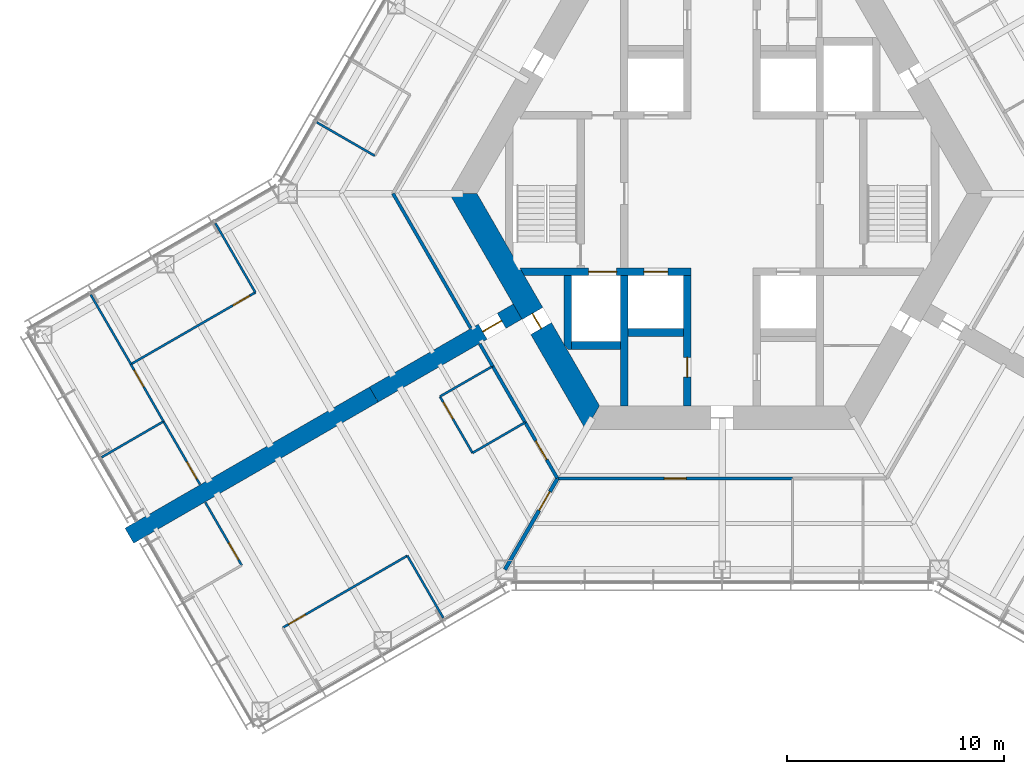
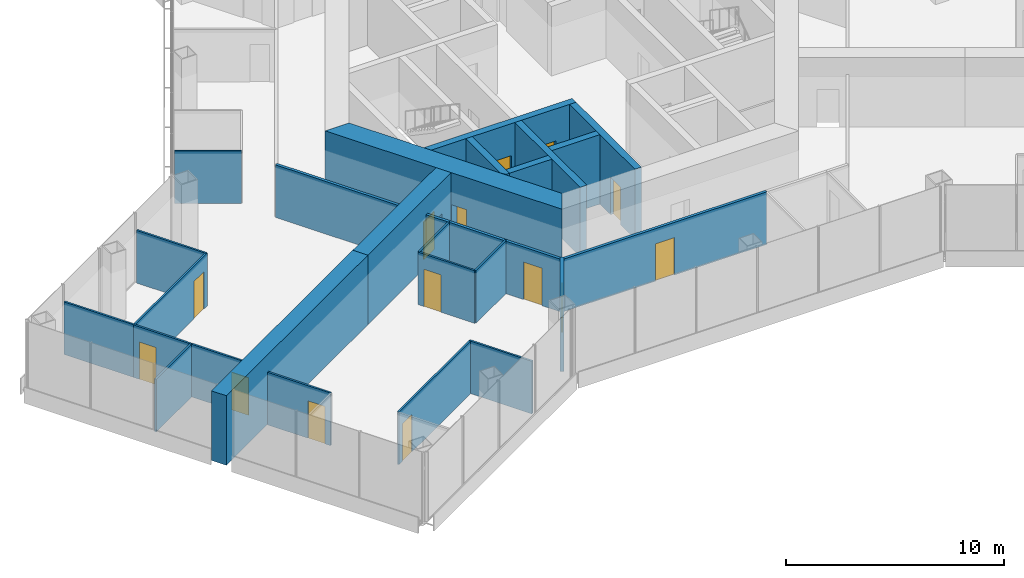
# One storey, part 12 of 18: 28 walls, 14 doors, 14 openings.
"""IFC4 building model written with IfcOpenShell, lengths in metres."""

from ifc_helpers import new_model, si_unit, direction, frame, frame_2d, origin, place, context, subcontext, project, spatial, polyline, rectangle, outline, extrude, material, layer, layer_set, type_object, element, fill, save


model = new_model("IFC4")

# Units and contexts
model_context = context("Model", 3, precision=1e-05, world=origin(), true_north=direction((0.0, 1.0)))
body_context = subcontext(model_context, "Body", "Model", "MODEL_VIEW")
ifc_project = project(units=[si_unit("LENGTHUNIT", "METRE"), si_unit("AREAUNIT", "SQUARE_METRE"), si_unit("VOLUMEUNIT", "CUBIC_METRE"), si_unit("PLANEANGLEUNIT", "RADIAN"), si_unit("MASSUNIT", "GRAM", prefix="KILO")], contexts=[model_context])

# Site, building, storey
site_placement = place(None, origin())
site = spatial("IfcSite", under=ifc_project, at=site_placement, CompositionType="ELEMENT")
building_placement = place(site_placement, origin())
building = spatial("IfcBuilding", under=site, at=building_placement, Name="Kasaneha Research Tower", CompositionType="ELEMENT")
storey_placement = place(building_placement, frame((0.0, 0.0, 111.89990234375)))
storey = spatial("IfcBuildingStorey", under=building, at=storey_placement, Name="L28", CompositionType="ELEMENT", Elevation=111.89990234375)

# Wall, openings, doors
ifc_material_1 = material(Name="Concrete Fc80", Category="concrete")
ifc_layer_1 = layer(ifc_material_1, 0.35009765625)
ifc_layer_set_1 = layer_set([ifc_layer_1], Name="Core internal wall 350 Fc80")
wall_type_1 = type_object("IfcWallType", Name="Core internal wall 350 Fc80", PredefinedType="SHEAR", material=ifc_layer_set_1)
wall_1_placement = place(storey_placement, frame((-9.208740234375, -3.60009765625, 0.0), z_axis=(0.0, 0.0, 1.0), x_axis=(1.0, 0.0, 0.0)))
wall_1 = element("IfcWall", 1, at=wall_1_placement, inside=storey, type_object=wall_type_1, Name="Core wall W2W L28", PredefinedType="SHEAR", context=body_context, shape_type="SweptSolid", body=[
    extrude(outline(polyline([(0.10107421875, -0.175048828125), (3.058837890625, -0.175048828125), (4.35888671875, -0.175048828125), (5.608642578125, -0.175048828125), (6.708740234375, -0.175048828125), (7.78369140625, -0.175048828125), (7.78369140625, 0.175048828125), (6.708740234375, 0.175048828125), (5.608642578125, 0.175048828125), (4.35888671875, 0.175048828125), (3.058837890625, 0.175048828125), (-0.10107421875, 0.175048828125), (0.10107421875, -0.175048828125)])), origin(), (0.0, 0.0, 1.0), 3.900146484375),
])
opening_1_placement = place(wall_1_placement, frame((5.608642578125, 0.0, 0.0)))
opening_1 = element("IfcOpeningElement", 2, at=opening_1_placement, cuts=wall_1, Name="Opening LD-LO2-L28", PredefinedType="OPENING", context=body_context, shape_type="SweptSolid", body=[
    extrude(rectangle(XDim=1.10009765625, YDim=2.10009765625, at=frame_2d((0.550048828125, 1.050048828125))), frame((0.0, 0.18505859375, 0.0), z_axis=(0.0, -1.0, 0.0), x_axis=(1.0, 0.0, 0.0)), (0.0, 0.0, 1.0), 0.3701171875),
])
opening_2_placement = place(wall_1_placement, frame((3.058837890625, 0.0, 0.0)))
opening_2 = element("IfcOpeningElement", 3, at=opening_2_placement, cuts=wall_1, Name="Opening LD-FL2-L28", PredefinedType="OPENING", context=body_context, shape_type="SweptSolid", body=[
    extrude(rectangle(XDim=1.300048828125, YDim=2.10009765625, at=frame_2d((0.64990234375, 1.050048828125))), frame((0.0, 0.18505859375, 0.0), z_axis=(0.0, -1.0, 0.0), x_axis=(1.0, 0.0, 0.0)), (0.0, 0.0, 1.0), 0.3701171875),
])
ifc_material_2 = material(Name="Steel", Category="steel")
door_type_1 = type_object("IfcDoorType", Name="Lift landing door 1100x2100", OperationType="DOUBLE_DOOR_SLIDING", PredefinedType="DOOR", material=ifc_material_2)
door_1_placement = place(opening_1_placement, origin())
door_1 = element("IfcDoor", 4, at=door_1_placement, inside=storey, type_object=door_type_1, Name="Landing door LO2 LD-LO2-L28", OperationType="DOUBLE_DOOR_SLIDING", OverallHeight=2.10009765625, OverallWidth=1.10009765625, PredefinedType="DOOR", context=body_context, shape_type="SweptSolid", body=[
    extrude(rectangle(XDim=1.10009765625, YDim=2.10009765625, at=frame_2d((0.550048828125, 1.050048828125))), frame((0.0, 0.02490234375, 0.0), z_axis=(0.0, -1.0, 0.0), x_axis=(1.0, 0.0, 0.0)), (0.0, 0.0, 1.0), 0.050048828125),
])
fill(opening_1, door_1)
ifc_material_3 = material(Name="Steel", Category="steel")
door_type_2 = type_object("IfcDoorType", Name="Lift landing door 1300x2100", OperationType="DOUBLE_DOOR_SLIDING", PredefinedType="DOOR", material=ifc_material_3)
door_2_placement = place(opening_2_placement, origin())
door_2 = element("IfcDoor", 5, at=door_2_placement, inside=storey, type_object=door_type_2, Name="Landing door FL2 LD-FL2-L28", OperationType="DOUBLE_DOOR_SLIDING", OverallHeight=2.10009765625, OverallWidth=1.300048828125, PredefinedType="DOOR", context=body_context, shape_type="SweptSolid", body=[
    extrude(rectangle(XDim=1.300048828125, YDim=2.10009765625, at=frame_2d((0.64990234375, 1.050048828125))), frame((0.0, 0.02490234375, 0.0), z_axis=(0.0, -1.0, 0.0), x_axis=(1.0, 0.0, 0.0)), (0.0, 0.0, 1.0), 0.050048828125),
])
fill(opening_2, door_2)

# Wall, opening, door
wall_2_placement = place(storey_placement, frame((-1.60009765625, -3.77490234375, 0.0), z_axis=(0.0, 0.0, 1.0), x_axis=(0.0, -1.0, 0.0)))
wall_2 = element("IfcWall", 6, at=wall_2_placement, inside=storey, type_object=wall_type_1, Name="Core wall CSW L28", PredefinedType="SHEAR", context=body_context, shape_type="SweptSolid", body=[
    extrude(rectangle(XDim=6.0, YDim=0.35009765625, at=frame_2d((3.0, 0.0))), origin(), (0.0, 0.0, 1.0), 3.900146484375),
])
opening_3_placement = place(wall_2_placement, frame((3.77490234375, 0.0, 0.0)))
opening_3 = element("IfcOpeningElement", 7, at=opening_3_placement, cuts=wall_2, Name="Opening L28-D16", PredefinedType="OPENING", context=body_context, shape_type="SweptSolid", body=[
    extrude(rectangle(XDim=0.89990234375, YDim=2.10009765625, at=frame_2d((0.449951171875, 1.050048828125))), frame((0.0, 0.18505859375, 0.0), z_axis=(0.0, -1.0, 0.0), x_axis=(1.0, 0.0, 0.0)), (0.0, 0.0, 1.0), 0.3701171875),
])
ifc_material_4 = material(Name="Steel", Category="steel")
door_type_3 = type_object("IfcDoorType", Name="Riser access door FD60 900x2100", OperationType="NOTDEFINED", PredefinedType="DOOR", material=ifc_material_4)
door_3_placement = place(opening_3_placement, origin())
door_3 = element("IfcDoor", 8, at=door_3_placement, inside=storey, type_object=door_type_3, Name="Electrical riser door L28-D16", OperationType="SINGLE_SWING_LEFT", OverallHeight=2.10009765625, OverallWidth=0.89990234375, PredefinedType="DOOR", context=body_context, shape_type="SweptSolid", body=[
    extrude(rectangle(XDim=0.89990234375, YDim=2.10009765625, at=frame_2d((0.449951171875, 1.050048828125))), frame((0.0, 0.02490234375, 0.0), z_axis=(0.0, -1.0, 0.0), x_axis=(1.0, 0.0, 0.0)), (0.0, 0.0, 1.0), 0.050048828125),
])
fill(opening_3, door_3)

# Walls
wall_3_placement = place(storey_placement, frame((-4.5, -3.77490234375, 0.0), z_axis=(0.0, 0.0, 1.0), x_axis=(0.0, -1.0, 0.0)))
element("IfcWall", 9, at=wall_3_placement, inside=storey, type_object=wall_type_1, Name="Core wall SSW L28", PredefinedType="SHEAR", context=body_context, shape_type="SweptSolid", body=[
    extrude(rectangle(XDim=6.0, YDim=0.35009765625, at=frame_2d((3.0, 0.0))), origin(), (0.0, 0.0, 1.0), 3.900146484375),
])
wall_4_placement = place(storey_placement, frame((-4.324951171875, -6.39990234375, 0.0), z_axis=(0.0, 0.0, 1.0), x_axis=(1.0, 0.0, 0.0)))
element("IfcWall", 10, at=wall_4_placement, inside=storey, type_object=wall_type_1, Name="Core wall S1S L28", PredefinedType="SHEAR", context=body_context, shape_type="SweptSolid", body=[
    extrude(rectangle(XDim=2.550048828125, YDim=0.35009765625, at=frame_2d((1.27490234375, 0.0))), origin(), (0.0, 0.0, 1.0), 3.900146484375),
])
wall_5_placement = place(storey_placement, frame((-6.925048828125, -7.0, 0.0), z_axis=(0.0, 0.0, 1.0), x_axis=(1.0, 0.0, 0.0)))
element("IfcWall", 11, at=wall_5_placement, inside=storey, type_object=wall_type_1, Name="Core wall F2S L28", PredefinedType="SHEAR", context=body_context, shape_type="SweptSolid", body=[
    extrude(rectangle(XDim=2.25, YDim=0.35009765625, at=frame_2d((1.125, 0.0))), origin(), (0.0, 0.0, 1.0), 3.900146484375),
])
wall_6_placement = place(storey_placement, frame((-7.10009765625, -3.77490234375, 0.0), z_axis=(0.0, 0.0, 1.0), x_axis=(0.0, -1.0, 0.0)))
element("IfcWall", 12, at=wall_6_placement, inside=storey, type_object=wall_type_1, Name="Core wall F2W L28", PredefinedType="SHEAR", context=body_context, shape_type="SweptSolid", body=[
    extrude(outline(polyline([(0.0, -0.175048828125), (3.174560546875, -0.175048828125), (3.400146484375, 0.0), (3.400146484375, 0.175048828125), (0.0, 0.175048828125), (0.0, -0.175048828125)])), origin(), (0.0, 0.0, 1.0), 3.900146484375),
])

# Wall, opening, door
ifc_material_5 = material(Name="Concrete Fc80", Category="concrete")
ifc_layer_2 = layer(ifc_material_5, 1.10009765625)
ifc_layer_set_2 = layer_set([ifc_layer_2], Name="Core wall 1100 Fc80")
wall_type_2 = type_object("IfcWallType", Name="Core wall 1100 Fc80", PredefinedType="SHEAR", material=ifc_layer_set_2)
wall_7_placement = place(storey_placement, frame((-11.92236328125, 0.0, 0.0), z_axis=(0.0, 0.0, 1.0), x_axis=(0.500004296715, -0.866022923061, 0.0)))
wall_7 = element("IfcWall", 13, at=wall_7_placement, inside=storey, type_object=wall_type_2, Name="Core wall 210 L28", PredefinedType="SHEAR", context=body_context, shape_type="SweptSolid", body=[
    extrude(outline(polyline([(-0.317626953125, -0.550048828125), (6.381103515625, -0.550048828125), (7.18115234375, -0.550048828125), (12.239990234375, -0.550048828125), (11.604736328125, 0.550048828125), (7.18115234375, 0.550048828125), (6.381103515625, 0.550048828125), (0.317626953125, 0.550048828125), (-0.317626953125, -0.550048828125)])), origin(), (0.0, 0.0, 1.0), 3.900146484375),
])
opening_4_placement = place(wall_7_placement, frame((6.381103515625, 0.0, 0.0)))
opening_4 = element("IfcOpeningElement", 14, at=opening_4_placement, cuts=wall_7, Name="Opening L28-D06", PredefinedType="OPENING", context=body_context, shape_type="SweptSolid", body=[
    extrude(rectangle(XDim=0.800048828125, YDim=2.10009765625, at=frame_2d((0.39990234375, 1.050048828125))), frame((0.0, 0.56005859375, 0.0), z_axis=(0.0, -1.0, 0.0), x_axis=(1.0, 0.0, 0.0)), (0.0, 0.0, 1.0), 1.1201171875),
])
ifc_material_6 = material(Name="Steel", Category="steel")
door_type_4 = type_object("IfcDoorType", Name="Riser access door FD60 800x2100", OperationType="NOTDEFINED", PredefinedType="DOOR", material=ifc_material_6)
door_4_placement = place(opening_4_placement, origin())
door_4 = element("IfcDoor", 15, at=door_4_placement, inside=storey, type_object=door_type_4, Name="Duct riser door L28-D06", OperationType="SINGLE_SWING_RIGHT", OverallHeight=2.10009765625, OverallWidth=0.800048828125, PredefinedType="DOOR", context=body_context, shape_type="SweptSolid", body=[
    extrude(rectangle(XDim=0.800048828125, YDim=2.10009765625, at=frame_2d((0.39990234375, 1.050048828125))), frame((0.0, 0.02490234375, 0.0), z_axis=(0.0, -1.0, 0.0), x_axis=(1.0, 0.0, 0.0)), (0.0, 0.0, 1.0), 0.050048828125),
])
fill(opening_4, door_4)

# Walls
ifc_material_7 = material(Name="Gypsum board on steel studs, one layer each side", Category="steel")
ifc_layer_3 = layer(ifc_material_7, 0.10009765625)
ifc_layer_set_3 = layer_set([ifc_layer_3], Name="Office partition 100")
wall_type_3 = type_object("IfcWallType", Name="Office partition 100", PredefinedType="PARTITIONING", material=ifc_layer_set_3)
wall_8_placement = place(storey_placement, frame((-27.22021484375, -7.863525390625, 0.0), z_axis=(0.0, 0.0, 1.0), x_axis=(-0.501296359072, 0.86527565572, 0.0)))
element("IfcWall", 16, at=wall_8_placement, inside=storey, type_object=wall_type_3, Name="Office partition FBN05 L28", PredefinedType="PARTITIONING", context=body_context, shape_type="SweptSolid", body=[
    extrude(rectangle(XDim=3.699951171875, YDim=0.10009765625, at=frame_2d((1.85009765625, 0.0))), origin(), (0.0, 0.0, 1.0), 2.9501953125),
])
wall_9_placement = place(storey_placement, frame((-23.332275390625, -1.36962890625, 0.0), z_axis=(0.0, 0.0, 1.0), x_axis=(0.500013413428, -0.866017659399, 0.0)))
element("IfcWall", 17, at=wall_9_placement, inside=storey, type_object=wall_type_3, Name="Office partition FBN06 L28", PredefinedType="PARTITIONING", context=body_context, shape_type="SweptSolid", body=[
    extrude(rectangle(XDim=3.68017578125, YDim=0.10009765625, at=frame_2d((1.840087890625, 0.0))), origin(), (0.0, 0.0, 1.0), 2.9501953125),
])

# Wall, opening, door
wall_10_placement = place(storey_placement, frame((-21.4921875, -4.556640625, 0.0), z_axis=(0.0, 0.0, 1.0), x_axis=(-0.866343956507, -0.499447844147, 0.0)))
wall_10 = element("IfcWall", 18, at=wall_10_placement, inside=storey, type_object=wall_type_3, Name="Office partition FBN07 L28", PredefinedType="PARTITIONING", context=body_context, shape_type="SweptSolid", body=[
    extrude(rectangle(XDim=6.61962890625, YDim=0.10009765625, at=frame_2d((3.309814453125, 0.0))), origin(), (0.0, 0.0, 1.0), 2.9501953125),
])
opening_5_placement = place(wall_10_placement, frame((0.300048828125, 0.0, 0.0)))
opening_5 = element("IfcOpeningElement", 19, at=opening_5_placement, cuts=wall_10, Name="Opening L28-D36", PredefinedType="OPENING", context=body_context, shape_type="SweptSolid", body=[
    extrude(rectangle(XDim=0.89990234375, YDim=2.10009765625, at=frame_2d((0.449951171875, 1.050048828125))), frame((0.0, 0.06005859375, 0.0), z_axis=(0.0, -1.0, 0.0), x_axis=(1.0, 0.0, 0.0)), (0.0, 0.0, 1.0), 0.1201171875),
])
ifc_material_8 = material(Name="Timber veneer", Category="wood")
door_type_5 = type_object("IfcDoorType", Name="Office door 900x2100", OperationType="SINGLE_SWING_LEFT", PredefinedType="DOOR", material=ifc_material_8)
door_5_placement = place(opening_5_placement, origin())
door_5 = element("IfcDoor", 20, at=door_5_placement, inside=storey, type_object=door_type_5, Name="Meeting room door L28-D36", OperationType="SINGLE_SWING_LEFT", OverallHeight=2.10009765625, OverallWidth=0.89990234375, PredefinedType="DOOR", context=body_context, shape_type="SweptSolid", body=[
    extrude(rectangle(XDim=0.89990234375, YDim=2.10009765625, at=frame_2d((0.449951171875, 1.050048828125))), frame((0.0, 0.02490234375, 0.0), z_axis=(0.0, -1.0, 0.0), x_axis=(1.0, 0.0, 0.0)), (0.0, 0.0, 1.0), 0.050048828125),
])
fill(opening_5, door_5)

# Wall
wall_11_placement = place(storey_placement, frame((-25.718505859375, -10.493408203125, 0.0), z_axis=(0.0, 0.0, 1.0), x_axis=(-0.865269267775, -0.501307384988, 0.0)))
element("IfcWall", 21, at=wall_11_placement, inside=storey, type_object=wall_type_3, Name="Office partition FBN08 L28", PredefinedType="PARTITIONING", context=body_context, shape_type="SweptSolid", body=[
    extrude(rectangle(XDim=3.301025390625, YDim=0.10009765625, at=frame_2d((1.650390625, 0.0))), origin(), (0.0, 0.0, 1.0), 2.9501953125),
])

# Wall, opening, door
wall_12_placement = place(storey_placement, frame((-27.2265625, -7.86279296875, 0.0), z_axis=(0.0, 0.0, 1.0), x_axis=(0.495913871635, -0.868371712989, 0.0)))
wall_12 = element("IfcWall", 22, at=wall_12_placement, inside=storey, type_object=wall_type_3, Name="Office partition FBN09 L28", PredefinedType="PARTITIONING", context=body_context, shape_type="SweptSolid", body=[
    extrude(rectangle(XDim=3.03759765625, YDim=0.10009765625, at=frame_2d((1.518798828125, 0.0))), origin(), (0.0, 0.0, 1.0), 2.9501953125),
])
opening_6_placement = place(wall_12_placement, frame((0.300048828125, 0.0, 0.0)))
opening_6 = element("IfcOpeningElement", 23, at=opening_6_placement, cuts=wall_12, Name="Opening L28-D37", PredefinedType="OPENING", context=body_context, shape_type="SweptSolid", body=[
    extrude(rectangle(XDim=0.89990234375, YDim=2.10009765625, at=frame_2d((0.449951171875, 1.050048828125))), frame((0.0, 0.06005859375, 0.0), z_axis=(0.0, -1.0, 0.0), x_axis=(1.0, 0.0, 0.0)), (0.0, 0.0, 1.0), 0.1201171875),
])
door_6_placement = place(opening_6_placement, origin())
door_6 = element("IfcDoor", 24, at=door_6_placement, inside=storey, type_object=door_type_5, Name="Manager's office door L28-D37", OperationType="SINGLE_SWING_LEFT", OverallHeight=2.10009765625, OverallWidth=0.89990234375, PredefinedType="DOOR", context=body_context, shape_type="SweptSolid", body=[
    extrude(rectangle(XDim=0.89990234375, YDim=2.10009765625, at=frame_2d((0.449951171875, 1.050048828125))), frame((0.0, 0.02490234375, 0.0), z_axis=(0.0, -1.0, 0.0), x_axis=(1.0, 0.0, 0.0)), (0.0, 0.0, 1.0), 0.050048828125),
])
fill(opening_6, door_6)

wall_13_placement = place(storey_placement, frame((-25.720458984375, -10.500244140625, 0.0), z_axis=(0.0, 0.0, 1.0), x_axis=(0.501088030279, -0.865396317251, 0.0)))
wall_13 = element("IfcWall", 25, at=wall_13_placement, inside=storey, type_object=wall_type_3, Name="Office partition FBN10 L28", PredefinedType="PARTITIONING", context=body_context, shape_type="SweptSolid", body=[
    extrude(rectangle(XDim=3.3466796875, YDim=0.10009765625, at=frame_2d((1.67333984375, 0.0))), origin(), (0.0, 0.0, 1.0), 2.9501953125),
])
opening_7_placement = place(wall_13_placement, frame((2.146728515625, 0.0, 0.0)))
opening_7 = element("IfcOpeningElement", 26, at=opening_7_placement, cuts=wall_13, Name="Opening L28-D38", PredefinedType="OPENING", context=body_context, shape_type="SweptSolid", body=[
    extrude(rectangle(XDim=0.89990234375, YDim=2.10009765625, at=frame_2d((0.449951171875, 1.050048828125))), frame((0.0, 0.06005859375, 0.0), z_axis=(0.0, -1.0, 0.0), x_axis=(1.0, 0.0, 0.0)), (0.0, 0.0, 1.0), 0.1201171875),
])
door_7_placement = place(opening_7_placement, origin())
door_7 = element("IfcDoor", 27, at=door_7_placement, inside=storey, type_object=door_type_5, Name="Interview room door L28-D38", OperationType="SINGLE_SWING_RIGHT", OverallHeight=2.10009765625, OverallWidth=0.89990234375, PredefinedType="DOOR", context=body_context, shape_type="SweptSolid", body=[
    extrude(rectangle(XDim=0.89990234375, YDim=2.10009765625, at=frame_2d((0.449951171875, 1.050048828125))), frame((0.0, 0.02490234375, 0.0), z_axis=(0.0, -1.0, 0.0), x_axis=(1.0, 0.0, 0.0)), (0.0, 0.0, 1.0), 0.050048828125),
])
fill(opening_7, door_7)

# Walls
wall_14_placement = place(storey_placement, frame((-15.99462890625, 1.7373046875, 0.0), z_axis=(0.0, 0.0, 1.0), x_axis=(-0.866029832698, 0.499992328818, 0.0)))
element("IfcWall", 28, at=wall_14_placement, inside=storey, type_object=wall_type_3, Name="Office partition FBN12 L28", PredefinedType="PARTITIONING", context=body_context, shape_type="SweptSolid", body=[
    extrude(rectangle(XDim=3.080078125, YDim=0.10009765625, at=frame_2d((1.5400390625, 0.0))), origin(), (0.0, 0.0, 1.0), 2.9501953125),
])
wall_15_placement = place(storey_placement, frame((-12.991455078125, -9.34814453125, 0.0), z_axis=(0.0, 0.0, 1.0), x_axis=(0.866817750494, 0.498625097071, 0.0)))
element("IfcWall", 29, at=wall_15_placement, inside=storey, type_object=wall_type_3, Name="Office partition FBS04 L28", PredefinedType="PARTITIONING", context=body_context, shape_type="SweptSolid", body=[
    extrude(rectangle(XDim=2.80029296875, YDim=0.10009765625, at=frame_2d((1.400146484375, 0.0))), origin(), (0.0, 0.0, 1.0), 2.9501953125),
])

# Wall, opening, door
wall_16_placement = place(storey_placement, frame((-11.491455078125, -11.9462890625, 0.0), z_axis=(0.0, 0.0, 1.0), x_axis=(-0.499990139034, 0.866031096941, 0.0)))
wall_16 = element("IfcWall", 30, at=wall_16_placement, inside=storey, type_object=wall_type_3, Name="Office partition FBS05 L28", PredefinedType="PARTITIONING", context=body_context, shape_type="SweptSolid", body=[
    extrude(rectangle(XDim=3.0, YDim=0.10009765625, at=frame_2d((1.5, 0.0))), origin(), (0.0, 0.0, 1.0), 2.9501953125),
])
opening_8_placement = place(wall_16_placement, frame((1.800048828125, 0.0, 0.0)))
opening_8 = element("IfcOpeningElement", 31, at=opening_8_placement, cuts=wall_16, Name="Opening L28-D41", PredefinedType="OPENING", context=body_context, shape_type="SweptSolid", body=[
    extrude(rectangle(XDim=0.89990234375, YDim=2.10009765625, at=frame_2d((0.449951171875, 1.050048828125))), frame((0.0, 0.06005859375, 0.0), z_axis=(0.0, -1.0, 0.0), x_axis=(1.0, 0.0, 0.0)), (0.0, 0.0, 1.0), 0.1201171875),
])
door_8_placement = place(opening_8_placement, origin())
door_8 = element("IfcDoor", 32, at=door_8_placement, inside=storey, type_object=door_type_5, Name="Pantry door L28-D41", OperationType="SINGLE_SWING_RIGHT", OverallHeight=2.10009765625, OverallWidth=0.89990234375, PredefinedType="DOOR", context=body_context, shape_type="SweptSolid", body=[
    extrude(rectangle(XDim=0.89990234375, YDim=2.10009765625, at=frame_2d((0.449951171875, 1.050048828125))), frame((0.0, 0.02490234375, 0.0), z_axis=(0.0, -1.0, 0.0), x_axis=(1.0, 0.0, 0.0)), (0.0, 0.0, 1.0), 0.050048828125),
])
fill(opening_8, door_8)

# Wall
wall_17_placement = place(storey_placement, frame((-9.06884765625, -10.542236328125, 0.0), z_axis=(0.0, 0.0, 1.0), x_axis=(-0.865195372903, -0.501434907746, 0.0)))
element("IfcWall", 33, at=wall_17_placement, inside=storey, type_object=wall_type_3, Name="Office partition FBS06 L28", PredefinedType="PARTITIONING", context=body_context, shape_type="SweptSolid", body=[
    extrude(rectangle(XDim=2.800048828125, YDim=0.10009765625, at=frame_2d((1.39990234375, 0.0))), origin(), (0.0, 0.0, 1.0), 2.9501953125),
])

# Wall, opening, door
wall_18_placement = place(storey_placement, frame((-20.22509765625, -19.99072265625, 0.0), z_axis=(0.0, 0.0, 1.0), x_axis=(0.866030817826, 0.499990622488, 0.0)))
wall_18 = element("IfcWall", 34, at=wall_18_placement, inside=storey, type_object=wall_type_3, Name="Office partition FBS07 L28", PredefinedType="PARTITIONING", context=body_context, shape_type="SweptSolid", body=[
    extrude(rectangle(XDim=6.619873046875, YDim=0.10009765625, at=frame_2d((3.31005859375, 0.0))), origin(), (0.0, 0.0, 1.0), 2.9501953125),
])
opening_9_placement = place(wall_18_placement, frame((0.300048828125, 0.0, 0.0)))
opening_9 = element("IfcOpeningElement", 35, at=opening_9_placement, cuts=wall_18, Name="Opening L28-D42", PredefinedType="OPENING", context=body_context, shape_type="SweptSolid", body=[
    extrude(rectangle(XDim=0.89990234375, YDim=2.10009765625, at=frame_2d((0.449951171875, 1.050048828125))), frame((0.0, 0.06005859375, 0.0), z_axis=(0.0, -1.0, 0.0), x_axis=(1.0, 0.0, 0.0)), (0.0, 0.0, 1.0), 0.1201171875),
])
door_9_placement = place(opening_9_placement, origin())
door_9 = element("IfcDoor", 36, at=door_9_placement, inside=storey, type_object=door_type_5, Name="Meeting room door L28-D42", OperationType="SINGLE_SWING_LEFT", OverallHeight=2.10009765625, OverallWidth=0.89990234375, PredefinedType="DOOR", context=body_context, shape_type="SweptSolid", body=[
    extrude(rectangle(XDim=0.89990234375, YDim=2.10009765625, at=frame_2d((0.449951171875, 1.050048828125))), frame((0.0, 0.02490234375, 0.0), z_axis=(0.0, -1.0, 0.0), x_axis=(1.0, 0.0, 0.0)), (0.0, 0.0, 1.0), 0.050048828125),
])
fill(opening_9, door_9)

# Wall
wall_19_placement = place(storey_placement, frame((-14.4921875, -16.680908203125, 0.0), z_axis=(0.0, 0.0, 1.0), x_axis=(0.499974350878, -0.866040211805, 0.0)))
element("IfcWall", 37, at=wall_19_placement, inside=storey, type_object=wall_type_3, Name="Office partition FBS09 L28", PredefinedType="PARTITIONING", context=body_context, shape_type="SweptSolid", body=[
    extrude(rectangle(XDim=3.300048828125, YDim=0.10009765625, at=frame_2d((1.64990234375, 0.0))), origin(), (0.0, 0.0, 1.0), 2.9501953125),
])

# Wall, opening, door
wall_20_placement = place(storey_placement, frame((-23.796630859375, -14.22412109375, 0.0), z_axis=(0.0, 0.0, 1.0), x_axis=(0.500015043844, -0.866016718043, 0.0)))
wall_20 = element("IfcWall", 38, at=wall_20_placement, inside=storey, type_object=wall_type_3, Name="Office partition FBS10 L28", PredefinedType="PARTITIONING", context=body_context, shape_type="SweptSolid", body=[
    extrude(rectangle(XDim=3.3466796875, YDim=0.10009765625, at=frame_2d((1.67333984375, 0.0))), origin(), (0.0, 0.0, 1.0), 2.9501953125),
])
opening_10_placement = place(wall_20_placement, frame((2.146728515625, 0.0, 0.0)))
opening_10 = element("IfcOpeningElement", 39, at=opening_10_placement, cuts=wall_20, Name="Opening L28-D43", PredefinedType="OPENING", context=body_context, shape_type="SweptSolid", body=[
    extrude(rectangle(XDim=0.89990234375, YDim=2.10009765625, at=frame_2d((0.449951171875, 1.050048828125))), frame((0.0, 0.06005859375, 0.0), z_axis=(0.0, -1.0, 0.0), x_axis=(1.0, 0.0, 0.0)), (0.0, 0.0, 1.0), 0.1201171875),
])
door_10_placement = place(opening_10_placement, origin())
door_10 = element("IfcDoor", 40, at=door_10_placement, inside=storey, type_object=door_type_5, Name="Workroom door L28-D43", OperationType="SINGLE_SWING_RIGHT", OverallHeight=2.10009765625, OverallWidth=0.89990234375, PredefinedType="DOOR", context=body_context, shape_type="SweptSolid", body=[
    extrude(rectangle(XDim=0.89990234375, YDim=2.10009765625, at=frame_2d((0.449951171875, 1.050048828125))), frame((0.0, 0.02490234375, 0.0), z_axis=(0.0, -1.0, 0.0), x_axis=(1.0, 0.0, 0.0)), (0.0, 0.0, 1.0), 0.050048828125),
])
fill(opening_10, door_10)

ifc_material_9 = material(Name="Concrete Fc80", Category="concrete")
ifc_layer_4 = layer(ifc_material_9, 0.800048828125)
ifc_layer_set_4 = layer_set([ifc_layer_4], Name="Spine wall 800 Fc80")
wall_type_4 = type_object("IfcWallType", Name="Spine wall 800 Fc80", PredefinedType="SHEAR", material=ifc_layer_set_4)
wall_21_placement = place(storey_placement, frame((-9.41796875, -5.4375, 0.0), z_axis=(0.0, 0.0, 1.0), x_axis=(-0.866029782078, -0.499992416496, 0.0)))
wall_21 = element("IfcWall", 41, at=wall_21_placement, inside=storey, type_object=wall_type_4, Name="Spine wall B L28", PredefinedType="SHEAR", context=body_context, shape_type="SweptSolid", body=[
    extrude(rectangle(XDim=7.6455078125, YDim=0.800048828125, at=frame_2d((3.82275390625, 0.0))), origin(), (0.0, 0.0, 1.0), 3.900146484375),
])
opening_11_placement = place(wall_21_placement, frame((0.85009765625, 0.0, 0.0)))
opening_11 = element("IfcOpeningElement", 42, at=opening_11_placement, cuts=wall_21, Name="Opening L28-D18", PredefinedType="OPENING", context=body_context, shape_type="SweptSolid", body=[
    extrude(rectangle(XDim=1.0, YDim=2.10009765625, at=frame_2d((0.5, 1.050048828125))), frame((0.0, 0.41015625, 0.0), z_axis=(0.0, -1.0, 0.0), x_axis=(1.0, 0.0, 0.0)), (0.0, 0.0, 1.0), 0.820068359375),
])
ifc_material_10 = material(Name="Steel", Category="steel")
door_type_6 = type_object("IfcDoorType", Name="Specified fire door FD60 1000x2100", OperationType="NOTDEFINED", PredefinedType="DOOR", material=ifc_material_10)
door_11_placement = place(opening_11_placement, origin())
door_11 = element("IfcDoor", 43, at=door_11_placement, inside=storey, type_object=door_type_6, Name="Spine doorway B L28-D18", OperationType="SINGLE_SWING_LEFT", OverallHeight=2.10009765625, OverallWidth=1.0, PredefinedType="DOOR", context=body_context, shape_type="SweptSolid", body=[
    extrude(rectangle(XDim=1.0, YDim=2.10009765625, at=frame_2d((0.5, 1.050048828125))), frame((0.0, 0.02490234375, 0.0), z_axis=(0.0, -1.0, 0.0), x_axis=(1.0, 0.0, 0.0)), (0.0, 0.0, 1.0), 0.050048828125),
])
fill(opening_11, door_11)

# Walls
wall_22_placement = place(storey_placement, frame((-16.039306640625, -9.26025390625, 0.0), z_axis=(0.0, 0.0, 1.0), x_axis=(-0.866024837091, -0.50000098154, 0.0)))
element("IfcWall", 44, at=wall_22_placement, inside=storey, type_object=wall_type_4, Name="Spine wall B wing L28", PredefinedType="SHEAR", context=body_context, shape_type="SweptSolid", body=[
    extrude(rectangle(XDim=13.0, YDim=0.800048828125, at=frame_2d((6.5, 0.0))), origin(), (0.0, 0.0, 1.0), 3.900146484375),
])
ifc_material_11 = material(Name="Gypsum board on steel studs, two layers each side", Category="steel")
ifc_layer_5 = layer(ifc_material_11, 0.14990234375)
ifc_layer_set_5 = layer_set([ifc_layer_5], Name="Suite partition 150")
wall_type_5 = type_object("IfcWallType", Name="Suite partition 150", PredefinedType="PARTITIONING", material=ifc_layer_set_5)
wall_23_placement = place(storey_placement, frame((-11.57666015625, -6.19873046875, 0.0), z_axis=(0.0, 0.0, 1.0), x_axis=(-0.500001961223, 0.866024271469, 0.0)))
element("IfcWall", 45, at=wall_23_placement, inside=storey, type_object=wall_type_5, Name="Suite partition FBN03 L28", PredefinedType="PARTITIONING", context=body_context, shape_type="SweptSolid", body=[
    extrude(rectangle(XDim=7.15771484375, YDim=0.14990234375, at=frame_2d((3.578857421875, 0.0))), origin(), (0.0, 0.0, 1.0), 2.9501953125),
])
wall_24_placement = place(storey_placement, frame((-9.064208984375, -10.550537109375, 0.0), z_axis=(0.0, 0.0, 1.0), x_axis=(-0.499977562641, 0.866038357612, 0.0)))
element("IfcWall", 46, at=wall_24_placement, inside=storey, type_object=wall_type_5, Name="Suite partition FBS01 L28", PredefinedType="PARTITIONING", context=body_context, shape_type="SweptSolid", body=[
    extrude(rectangle(XDim=3.010009765625, YDim=0.14990234375, at=frame_2d((1.5048828125, 0.0))), origin(), (0.0, 0.0, 1.0), 2.9501953125),
])
wall_25_placement = place(storey_placement, frame((-10.564208984375, -7.951904296875, 0.0), z_axis=(0.0, 0.0, 1.0), x_axis=(-0.500085263423, 0.865976171327, 0.0)))
element("IfcWall", 47, at=wall_25_placement, inside=storey, type_object=wall_type_5, Name="Suite partition FBS02 L28", PredefinedType="PARTITIONING", context=body_context, shape_type="SweptSolid", body=[
    extrude(rectangle(XDim=1.184326171875, YDim=0.14990234375, at=frame_2d((0.59228515625, 0.0))), origin(), (0.0, 0.0, 1.0), 2.9501953125),
])

# Wall, opening, door
wall_26_placement = place(storey_placement, frame((-7.58935546875, -13.10498046875, 0.0), z_axis=(0.0, 0.0, 1.0), x_axis=(-0.499972416139, 0.866041328748, 0.0)))
wall_26 = element("IfcWall", 48, at=wall_26_placement, inside=storey, type_object=wall_type_5, Name="Suite partition FBS03 L28", PredefinedType="PARTITIONING", context=body_context, shape_type="SweptSolid", body=[
    extrude(rectangle(XDim=2.959228515625, YDim=0.14990234375, at=frame_2d((1.4794921875, 0.0))), origin(), (0.0, 0.0, 1.0), 2.9501953125),
])
opening_12_placement = place(wall_26_placement, frame((0.9794921875, 0.0, 0.0)))
opening_12 = element("IfcOpeningElement", 49, at=opening_12_placement, cuts=wall_26, Name="Opening L28-D40", PredefinedType="OPENING", context=body_context, shape_type="SweptSolid", body=[
    extrude(rectangle(XDim=1.0, YDim=2.10009765625, at=frame_2d((0.5, 1.050048828125))), frame((0.0, 0.0849609375, 0.0), z_axis=(0.0, -1.0, 0.0), x_axis=(1.0, 0.0, 0.0)), (0.0, 0.0, 1.0), 0.169921875),
])
ifc_material_12 = material(Name="Steel", Category="steel")
door_type_7 = type_object("IfcDoorType", Name="Suite entrance door FD60 1000x2100", OperationType="NOTDEFINED", PredefinedType="DOOR", material=ifc_material_12)
door_12_placement = place(opening_12_placement, origin())
door_12 = element("IfcDoor", 50, at=door_12_placement, inside=storey, type_object=door_type_7, Name="Suite entrance door L28-D40", OperationType="SINGLE_SWING_RIGHT", OverallHeight=2.10009765625, OverallWidth=1.0, PredefinedType="DOOR", context=body_context, shape_type="SweptSolid", body=[
    extrude(rectangle(XDim=1.0, YDim=2.10009765625, at=frame_2d((0.5, 1.050048828125))), frame((0.0, 0.02490234375, 0.0), z_axis=(0.0, -1.0, 0.0), x_axis=(1.0, 0.0, 0.0)), (0.0, 0.0, 1.0), 0.050048828125),
])
fill(opening_12, door_12)

wall_27_placement = place(storey_placement, frame((3.2509765625, -13.125, 0.0), z_axis=(0.0, 0.0, 1.0), x_axis=(-1.0, 0.0, 0.0)))
wall_27 = element("IfcWall", 51, at=wall_27_placement, inside=storey, type_object=wall_type_5, Name="Suite partition FCS04 L28", PredefinedType="PARTITIONING", context=body_context, shape_type="SweptSolid", body=[
    extrude(rectangle(XDim=10.8056640625, YDim=0.14990234375, at=frame_2d((5.40283203125, 0.0))), origin(), (0.0, 0.0, 1.0), 2.9501953125),
])
opening_13_placement = place(wall_27_placement, frame((4.90283203125, 0.0, 0.0)))
opening_13 = element("IfcOpeningElement", 52, at=opening_13_placement, cuts=wall_27, Name="Opening L28-D47", PredefinedType="OPENING", context=body_context, shape_type="SweptSolid", body=[
    extrude(rectangle(XDim=1.0, YDim=2.10009765625, at=frame_2d((0.5, 1.050048828125))), frame((0.0, 0.0849609375, 0.0), z_axis=(0.0, -1.0, 0.0), x_axis=(1.0, 0.0, 0.0)), (0.0, 0.0, 1.0), 0.169921875),
])
door_13_placement = place(opening_13_placement, origin())
door_13 = element("IfcDoor", 53, at=door_13_placement, inside=storey, type_object=door_type_7, Name="Suite entrance door L28-D47", OperationType="SINGLE_SWING_RIGHT", OverallHeight=2.10009765625, OverallWidth=1.0, PredefinedType="DOOR", context=body_context, shape_type="SweptSolid", body=[
    extrude(rectangle(XDim=1.0, YDim=2.10009765625, at=frame_2d((0.5, 1.050048828125))), frame((0.0, 0.02490234375, 0.0), z_axis=(0.0, -1.0, 0.0), x_axis=(1.0, 0.0, 0.0)), (0.0, 0.0, 1.0), 0.050048828125),
])
fill(opening_13, door_13)

ifc_material_13 = material(Name="Gypsum board on steel studs, two layers each side", Category="steel")
ifc_layer_6 = layer(ifc_material_13, 0.175048828125)
ifc_layer_set_6 = layer_set([ifc_layer_6], Name="Tenancy fire partition 175")
wall_type_6 = type_object("IfcWallType", Name="Tenancy fire partition 175", PredefinedType="PARTITIONING", material=ifc_layer_set_6)
wall_28_placement = place(storey_placement, frame((-7.57763671875, -13.125, 0.0), z_axis=(0.0, 0.0, 1.0), x_axis=(-0.500008905493, -0.866020262135, 0.0)))
wall_28 = element("IfcWall", 54, at=wall_28_placement, inside=storey, type_object=wall_type_6, Name="Tenancy fire partition T240 L28", PredefinedType="PARTITIONING", context=body_context, shape_type="SweptSolid", body=[
    extrude(rectangle(XDim=4.8447265625, YDim=0.175048828125, at=frame_2d((2.42236328125, 0.0))), origin(), (0.0, 0.0, 1.0), 3.050048828125),
])
opening_14_placement = place(wall_28_placement, frame((0.699951171875, 0.0, 0.0)))
opening_14 = element("IfcOpeningElement", 55, at=opening_14_placement, cuts=wall_28, Name="Opening L28-D24", PredefinedType="OPENING", context=body_context, shape_type="SweptSolid", body=[
    extrude(rectangle(XDim=1.0, YDim=2.10009765625, at=frame_2d((0.5, 1.050048828125))), frame((0.0, 0.09765625, 0.0), z_axis=(0.0, -1.0, 0.0), x_axis=(1.0, 0.0, 0.0)), (0.0, 0.0, 1.0), 0.195068359375),
])
door_14_placement = place(opening_14_placement, origin())
door_14 = element("IfcDoor", 56, at=door_14_placement, inside=storey, type_object=door_type_7, Name="Connecting door L28-D24", OperationType="SINGLE_SWING_LEFT", OverallHeight=2.10009765625, OverallWidth=1.0, PredefinedType="DOOR", context=body_context, shape_type="SweptSolid", body=[
    extrude(rectangle(XDim=1.0, YDim=2.10009765625, at=frame_2d((0.5, 1.050048828125))), frame((0.0, 0.02490234375, 0.0), z_axis=(0.0, -1.0, 0.0), x_axis=(1.0, 0.0, 0.0)), (0.0, 0.0, 1.0), 0.050048828125),
])
fill(opening_14, door_14)

save(model, "model.ifc")
